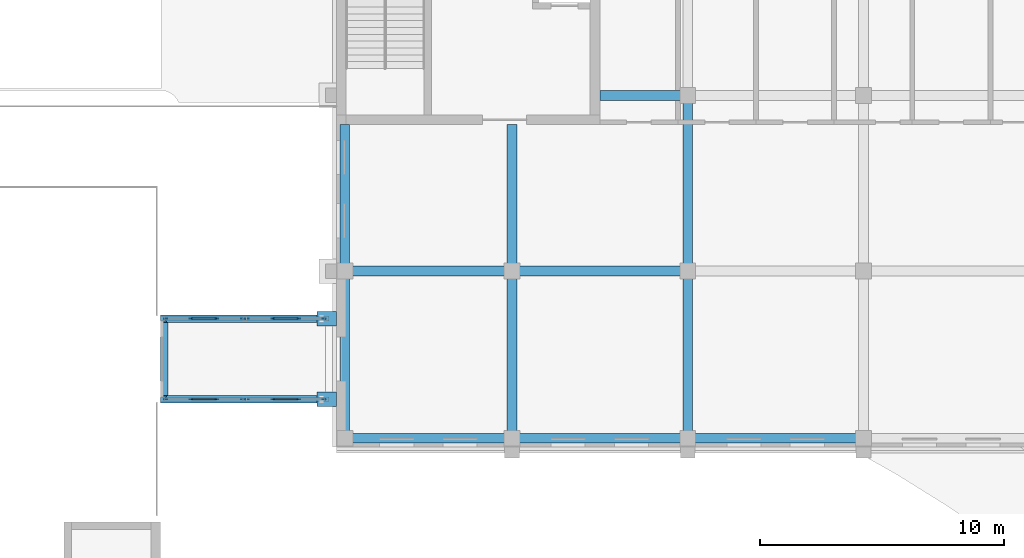
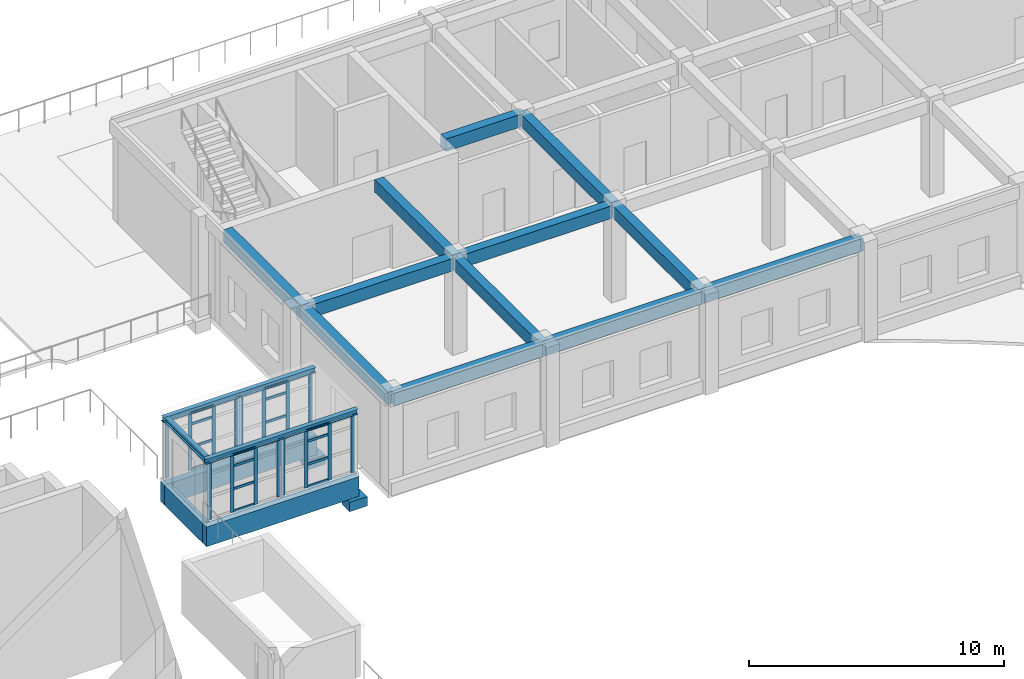
# One storey, part 56 of 131: 32 members, 20 beams, 4 elements without a shape of their own.
"""IFC4 building model written with IfcOpenShell, lengths in metres."""

import ifcopenshell
import ifcopenshell.guid

model = None  # the IFC model being written
_history = None  # IfcOwnerHistory: only IFC2X3 demands one
_inside = {}  # id of a spatial element -> (the spatial element, [elements in it])
_under = {}  # id of a project, library or spatial element -> (it, [spatial elements below it])
_declared = {}  # id of a project -> (the project, [libraries it declares])
_typed = {}  # id of a type object -> (the type object, [elements of that type])
_made_of = {}  # id of a material, layer set ... -> (it, [elements and type objects made of it])


def new_model(schema):
    """Start an empty IFC model of exactly this schema.

    Asked for "IFC4X3", IfcOpenShell would pick the latest addendum, in which some entities
    have other attributes; the version numbers below select the first issue.
    IFC2X3 requires an IfcOwnerHistory on every rooted entity: one is made here for all.
    """
    global model, _history
    if schema == "IFC4X3":
        model = ifcopenshell.file(schema_version=(4, 3, 0, 0))
    else:
        model = ifcopenshell.file(schema=schema)
    _inside.clear()
    _under.clear()
    _declared.clear()
    _typed.clear()
    _made_of.clear()
    _history = None
    if model.schema == "IFC2X3":
        org = make("IfcOrganization", Name="unknown")
        user = make(
            "IfcPersonAndOrganization",
            ThePerson=make("IfcPerson", FamilyName="unknown"),
            TheOrganization=org,
        )
        app = make(
            "IfcApplication",
            ApplicationDeveloper=org,
            Version="unknown",
            ApplicationFullName="unknown",
            ApplicationIdentifier="unknown",
        )
        _history = make(
            "IfcOwnerHistory",
            OwningUser=user,
            OwningApplication=app,
            ChangeAction="ADDED",
            CreationDate=0,
        )
    return model


def make(cls, **values):
    """One entity of the class cls with the attributes given. An attribute that is None is left unset."""
    return model.create_entity(
        cls, **{name: value for name, value in values.items() if value is not None}
    )


def rooted(cls, **values):
    """An entity with a GlobalId (a new one), such as an element, a storey or a relation."""
    return make(cls, GlobalId=ifcopenshell.guid.new(), OwnerHistory=_history, **values)


def si_unit(unit_type, name, prefix=None):
    """IfcSIUnit, for example si_unit("LENGTHUNIT", "METRE", prefix="MILLI")."""
    return make("IfcSIUnit", UnitType=unit_type, Prefix=prefix, Name=name)


def assignment(units):
    """IfcUnitAssignment: the units of a project."""
    return None if units is None else make("IfcUnitAssignment", Units=units)


def point(xyz):
    """IfcCartesianPoint."""
    return None if xyz is None else make("IfcCartesianPoint", Coordinates=xyz)


def direction(xyz):
    """IfcDirection."""
    return None if xyz is None else make("IfcDirection", DirectionRatios=xyz)


def frame(location, z_axis=None, x_axis=None):
    """IfcAxis2Placement3D, a coordinate frame: its origin and axes. An axis left out is left unset."""
    return make(
        "IfcAxis2Placement3D",
        Location=point(location),
        Axis=direction(z_axis),
        RefDirection=direction(x_axis),
    )


def frame_2d(location, x_axis=None):
    """IfcAxis2Placement2D, a coordinate frame in the plane: its origin and x axis."""
    return make(
        "IfcAxis2Placement2D", Location=point(location), RefDirection=direction(x_axis)
    )


def origin():
    """The frame at (0, 0, 0) with its axes left unset."""
    return frame((0.0, 0.0, 0.0))


def origin_2d():
    """The frame at (0, 0) in the plane with its x axis left unset."""
    return frame_2d((0.0, 0.0))


def place(relative_to, where):
    """IfcLocalPlacement: puts the frame where relative to a parent placement (None: the world)."""
    return make(
        "IfcLocalPlacement", PlacementRelTo=relative_to, RelativePlacement=where
    )


def context(
    kind, dimensions, precision=None, world=None, true_north=None, identifier=None
):
    """IfcGeometricRepresentationContext, for example the 3D "Model" context."""
    return make(
        "IfcGeometricRepresentationContext",
        ContextIdentifier=identifier,
        ContextType=kind,
        CoordinateSpaceDimension=dimensions,
        Precision=precision,
        WorldCoordinateSystem=world,
        TrueNorth=true_north,
    )


def subcontext(parent, identifier, kind, view, scale=None):
    """IfcGeometricRepresentationSubContext, for example "Body" below "Model"."""
    return make(
        "IfcGeometricRepresentationSubContext",
        ContextIdentifier=identifier,
        ContextType=kind,
        ParentContext=parent,
        TargetScale=scale,
        TargetView=view,
    )


def project(units=None, contexts=None):
    """IfcProject with its units and contexts."""
    return rooted(
        "IfcProject",
        Name="project",
        RepresentationContexts=contexts,
        UnitsInContext=assignment(units),
    )


def spatial(cls, under=None, at=None, **own):
    """A site, building, storey or space (cls), placed at a placement, below another one or the project."""
    s = rooted(cls, ObjectPlacement=at, **own)
    if under is not None:
        _under.setdefault(under.id(), (under, []))[1].append(s)
    return s


def profile(cls, at=None, kind="AREA", **sizes):
    """A parametric profile (cls). Its sizes go by their IFC names, for example OverallWidth=200.0."""
    return make(cls, ProfileType=kind, Position=at, **sizes)


def rectangle(**sizes):
    """IfcRectangleProfileDef."""
    return profile("IfcRectangleProfileDef", **sizes)


def i_section(**sizes):
    """IfcIShapeProfileDef."""
    return profile("IfcIShapeProfileDef", **sizes)


def extrude(swept, where, along, depth):
    """IfcExtrudedAreaSolid: the profile swept, set in the frame where, extruded along a direction by depth."""
    return make(
        "IfcExtrudedAreaSolid",
        SweptArea=swept,
        Position=where,
        ExtrudedDirection=direction(along),
        Depth=depth,
    )


def shape(context_of_items, identifier, shape_type, items):
    """IfcShapeRepresentation: the items that make up one representation, for example the "Body"."""
    return make(
        "IfcShapeRepresentation",
        ContextOfItems=context_of_items,
        RepresentationIdentifier=identifier,
        RepresentationType=shape_type,
        Items=items,
    )


def material(Name=None, Category=None):
    """IfcMaterial."""
    return make("IfcMaterial", Name=Name, Category=Category)


def layer(
    of_material, thickness, ventilated=None, Name=None, Category=None, Priority=None
):
    """IfcMaterialLayer: one layer of a wall or slab, of a material (None: an air gap)."""
    return make(
        "IfcMaterialLayer",
        Material=of_material,
        LayerThickness=thickness,
        IsVentilated=ventilated,
        Name=Name,
        Category=Category,
        Priority=Priority,
    )


def layer_set(layers, Name=None):
    """IfcMaterialLayerSet."""
    return make("IfcMaterialLayerSet", MaterialLayers=layers, LayerSetName=Name)


def material_profile(
    of_material, cross_section, Name=None, Category=None, Priority=None
):
    """IfcMaterialProfile: a cross section and its material."""
    return make(
        "IfcMaterialProfile",
        Name=Name,
        Material=of_material,
        Profile=cross_section,
        Priority=Priority,
        Category=Category,
    )


def profile_set(profiles, Name=None, composite=None):
    """IfcMaterialProfileSet."""
    return make(
        "IfcMaterialProfileSet",
        Name=Name,
        MaterialProfiles=profiles,
        CompositeProfile=composite,
    )


def made_of(thing, what):
    """Note that an element or type object is made of a material, layer set ...; save() writes the relation."""
    if what is not None:
        _made_of.setdefault(what.id(), (what, []))[1].append(thing)
    return thing


def type_object(cls, material=None, **own):
    """A type object (cls), such as IfcWallType, which elements share."""
    return made_of(rooted(cls, **own), material)


def element(
    cls,
    number,
    at=None,
    inside=None,
    cuts=None,
    type_object=None,
    material=None,
    context=None,
    identifier="Body",
    shape_type=None,
    held_by="IfcProductDefinitionShape",
    body=None,
    shapes=None,
    **own,
):
    """One element of the class cls, such as IfcWall. Its Tag is "e" and its number.

    at: its placement. inside: the storey or other place that contains it. cuts: it is an
    opening in that element (IfcRelVoidsElement). A single representation is given by context,
    identifier, shape_type and body (its items); several are given by shapes. held_by: the class
    of the entity that holds the representations. save() writes the other relations.
    """
    e = rooted(cls, Tag="e%d" % number, ObjectPlacement=at, **own)
    if body is not None:
        shapes = [shape(context, identifier, shape_type, body)]
    if shapes is not None:
        e.Representation = make(held_by, Representations=shapes)
    if inside is not None:
        _inside.setdefault(inside.id(), (inside, []))[1].append(e)
    if cuts is not None:
        rooted(
            "IfcRelVoidsElement", RelatingBuildingElement=cuts, RelatedOpeningElement=e
        )
    if type_object is not None:
        _typed.setdefault(type_object.id(), (type_object, []))[1].append(e)
    return made_of(e, material)


def aggregate(whole, parts):
    """IfcRelAggregates: a whole, such as a stair, and the parts it consists of."""
    return rooted("IfcRelAggregates", RelatingObject=whole, RelatedObjects=parts)


def save(model, path):
    """Write the relations noted so far, then the file.

    IfcRelAggregates (storeys below a building ...), IfcRelContainedInSpatialStructure (elements
    in a storey), IfcRelDefinesByType, IfcRelAssociatesMaterial and IfcRelDeclares: one each for
    every whole, place, type object, material and project.
    """
    for whole, parts in _under.values():
        aggregate(whole, parts)
    for where, things in _inside.values():
        rooted(
            "IfcRelContainedInSpatialStructure",
            RelatedElements=things,
            RelatingStructure=where,
        )
    for kind, things in _typed.values():
        rooted("IfcRelDefinesByType", RelatedObjects=things, RelatingType=kind)
    for what, things in _made_of.values():
        rooted("IfcRelAssociatesMaterial", RelatedObjects=things, RelatingMaterial=what)
    for by, libraries in _declared.values():
        rooted("IfcRelDeclares", RelatingContext=by, RelatedDefinitions=libraries)
    model.write(path)


model = new_model("IFC4")

# Units and contexts
model_context = context("Model", 3, precision=1e-05, world=origin(), true_north=direction((0.0, 1.0)))
body_context = subcontext(model_context, "Body", "Model", "MODEL_VIEW")
ifc_project = project(units=[si_unit("LENGTHUNIT", "METRE"), si_unit("AREAUNIT", "SQUARE_METRE"), si_unit("VOLUMEUNIT", "CUBIC_METRE"), si_unit("PLANEANGLEUNIT", "RADIAN"), si_unit("MASSUNIT", "GRAM", prefix="KILO")], contexts=[model_context])

# Site, building, storey
site_placement = place(None, origin())
site = spatial("IfcSite", under=ifc_project, at=site_placement, CompositionType="ELEMENT")
building_placement = place(site_placement, origin())
building = spatial("IfcBuilding", under=site, at=building_placement, Name="Alderwick Market Hall", CompositionType="ELEMENT")
storey_placement = place(building_placement, frame((0.0, 0.0, 4.800048828125)))
storey = spatial("IfcBuildingStorey", under=building, at=storey_placement, Name="L00", CompositionType="ELEMENT", Elevation=4.800048828125)

# Beams
ifc_material_1 = material(Name="Concrete 5000 psi (f'c 35 MPa)", Category="concrete")
ifc_material_profile_1 = material_profile(ifc_material_1, rectangle(XDim=0.39990234375, YDim=0.60009765625, at=origin_2d()), Name="RC 400x600")
ifc_profile_set_1 = profile_set([ifc_material_profile_1], Name="Concrete 5000 psi (f'c 35 MPa)")
beam_type_1 = type_object("IfcBeamType", Name="F Floor Beam RC 400x600", PredefinedType="BEAM", material=ifc_profile_set_1)
beam_1_placement = place(storey_placement, frame((158.75, 129.949951171875, 4.25), z_axis=(1.0, 0.0, 0.0), x_axis=(0.0, 1.0, 0.0)))
element("IfcBeam", 1, at=beam_1_placement, inside=storey, type_object=beam_type_1, Name="F.beam.L00.001", PredefinedType="BEAM", context=body_context, shape_type="SweptSolid", body=[
    extrude(rectangle(XDim=0.39990234375, YDim=0.60009765625, at=origin_2d()), origin(), (0.0, 0.0, 1.0), 6.85009765625),
])
for number, where, z_axis, x_axis, name in (
    (2, (165.60009765625, 129.949951171875, 4.25), (1.0, 0.0, 0.0), (0.0, 1.0, 0.0), "F.beam.L00.002"),
    (3, (172.800048828125, 129.949951171875, 4.25), (1.0, 0.0, 0.0), (0.0, 1.0, 0.0), "F.beam.L00.003"),
):
    element("IfcBeam", number, at=place(storey_placement, frame(where, z_axis=z_axis, x_axis=x_axis)), inside=storey, type_object=beam_type_1, Name=name, PredefinedType="BEAM", context=body_context, shape_type="SweptSolid", body=[
        extrude(rectangle(XDim=0.39990234375, YDim=0.60009765625, at=origin_2d()), origin(), (0.0, 0.0, 1.0), 7.199951171875),
    ])
beam_2_placement = place(storey_placement, frame((158.75, 136.800048828125, 4.25), z_axis=(1.0, 0.0, 0.0), x_axis=(0.0, 1.0, 0.0)))
element("IfcBeam", 4, at=beam_2_placement, inside=storey, type_object=beam_type_1, Name="F.beam.L00.011", PredefinedType="BEAM", context=body_context, shape_type="SweptSolid", body=[
    extrude(rectangle(XDim=0.39990234375, YDim=0.60009765625, at=origin_2d()), origin(), (0.0, 0.0, 1.0), 6.85009765625),
])
beam_3_placement = place(storey_placement, frame((165.60009765625, 136.800048828125, 4.25), z_axis=(1.0, 0.0, 0.0), x_axis=(0.0, 1.0, 0.0)))
element("IfcBeam", 5, at=beam_3_placement, inside=storey, type_object=beam_type_1, Name="F.beam.L00.012", PredefinedType="BEAM", context=body_context, shape_type="SweptSolid", body=[
    extrude(rectangle(XDim=0.39990234375, YDim=0.60009765625, at=origin_2d()), origin(), (0.0, 0.0, 1.0), 7.199951171875),
])
beam_4_placement = place(storey_placement, frame((169.198974609375, 144.0, 4.25), z_axis=(1.0, 0.0, 0.0), x_axis=(0.0, 1.0, 0.0)))
element("IfcBeam", 6, at=beam_4_placement, inside=storey, type_object=beam_type_1, Name="F.beam.L00.021", PredefinedType="BEAM", context=body_context, shape_type="SweptSolid", body=[
    extrude(rectangle(XDim=0.39990234375, YDim=0.60009765625, at=origin_2d()), origin(), (0.0, 0.0, 1.0), 3.60107421875),
])
beam_5_placement = place(storey_placement, frame((158.75, 129.949951171875, 4.25), z_axis=(0.0, 1.0, 0.0), x_axis=(-1.0, 0.0, 0.0)))
element("IfcBeam", 7, at=beam_5_placement, inside=storey, type_object=beam_type_1, Name="F.beam.L00.037", PredefinedType="BEAM", context=body_context, shape_type="SweptSolid", body=[
    extrude(rectangle(XDim=0.39990234375, YDim=0.60009765625, at=origin_2d()), origin(), (0.0, 0.0, 1.0), 6.85009765625),
])
beam_6_placement = place(storey_placement, frame((158.75, 136.800048828125, 4.25), z_axis=(0.0, 1.0, 0.0), x_axis=(-1.0, 0.0, 0.0)))
element("IfcBeam", 8, at=beam_6_placement, inside=storey, type_object=beam_type_1, Name="F.beam.L00.038", PredefinedType="BEAM", context=body_context, shape_type="SweptSolid", body=[
    extrude(rectangle(XDim=0.39990234375, YDim=0.60009765625, at=origin_2d()), origin(), (0.0, 0.0, 1.0), 6.0009765625),
])
beam_7_placement = place(storey_placement, frame((165.60009765625, 129.949951171875, 4.25), z_axis=(0.0, 1.0, 0.0), x_axis=(-1.0, 0.0, 0.0)))
element("IfcBeam", 9, at=beam_7_placement, inside=storey, type_object=beam_type_1, Name="F.beam.L00.039", PredefinedType="BEAM", context=body_context, shape_type="SweptSolid", body=[
    extrude(rectangle(XDim=0.39990234375, YDim=0.60009765625, at=origin_2d()), origin(), (0.0, 0.0, 1.0), 6.85009765625),
])
beam_8_placement = place(storey_placement, frame((165.60009765625, 136.800048828125, 4.25), z_axis=(0.0, 1.0, 0.0), x_axis=(-1.0, 0.0, 0.0)))
element("IfcBeam", 10, at=beam_8_placement, inside=storey, type_object=beam_type_1, Name="F.beam.L00.040", PredefinedType="BEAM", context=body_context, shape_type="SweptSolid", body=[
    extrude(rectangle(XDim=0.39990234375, YDim=0.60009765625, at=origin_2d()), origin(), (0.0, 0.0, 1.0), 6.0009765625),
])
beam_9_placement = place(storey_placement, frame((172.800048828125, 129.949951171875, 4.25), z_axis=(0.0, 1.0, 0.0), x_axis=(-1.0, 0.0, 0.0)))
element("IfcBeam", 11, at=beam_9_placement, inside=storey, type_object=beam_type_1, Name="F.beam.L00.041", PredefinedType="BEAM", context=body_context, shape_type="SweptSolid", body=[
    extrude(rectangle(XDim=0.39990234375, YDim=0.60009765625, at=origin_2d()), origin(), (0.0, 0.0, 1.0), 6.85009765625),
])
beam_10_placement = place(storey_placement, frame((172.800048828125, 136.800048828125, 4.25), z_axis=(0.0, 1.0, 0.0), x_axis=(-1.0, 0.0, 0.0)))
element("IfcBeam", 12, at=beam_10_placement, inside=storey, type_object=beam_type_1, Name="F.beam.L00.042", PredefinedType="BEAM", context=body_context, shape_type="SweptSolid", body=[
    extrude(rectangle(XDim=0.39990234375, YDim=0.60009765625, at=origin_2d()), origin(), (0.0, 0.0, 1.0), 7.199951171875),
])

# Curtain wall, members
ifc_material_2 = material(Name="Aluminium frame", Category="aluminium")
ifc_layer = layer(ifc_material_2, 0.10009765625)
ifc_layer_set = layer_set([ifc_layer], Name="Aluminium frame")
curtain_wall_type = type_object("IfcCurtainWallType", Name="P Curtain Wall 100", PredefinedType="NOTDEFINED", material=ifc_layer_set)
curtain_wall_1_placement = place(storey_placement, origin())
curtain_wall_1 = element("IfcCurtainWall", 13, at=curtain_wall_1_placement, inside=storey, type_object=curtain_wall_type, Name="P.P9.cw.a0", PredefinedType="NOTDEFINED")
ifc_material_profile_2 = material_profile(ifc_material_2, rectangle(XDim=0.06005859375, YDim=0.159912109375, at=origin_2d()), Name="P Mullion 60x160")
ifc_profile_set_2 = profile_set([ifc_material_profile_2], Name="Aluminium frame")
member_type_1 = type_object("IfcMemberType", Name="P Mullion 60x160", PredefinedType="MULLION", material=ifc_profile_set_2)
member_1_placement = place(storey_placement, frame((151.406005859375, 131.550048828125, 0.0), z_axis=(0.0, 0.0, 1.0), x_axis=(0.0, 1.0, 0.0)))
member_1 = element("IfcMember", 14, at=member_1_placement, type_object=member_type_1, Name="P-CW9a0 mullion 1", PredefinedType="MULLION", context=body_context, shape_type="SweptSolid", body=[
    extrude(rectangle(XDim=0.06005859375, YDim=0.159912109375, at=origin_2d()), origin(), (0.0, 0.0, 1.0), 2.7529296875),
])
member_2_placement = place(storey_placement, frame((152.44189453125, 131.550048828125, 0.0), z_axis=(0.0, 0.0, 1.0), x_axis=(0.0, 1.0, 0.0)))
member_2 = element("IfcMember", 15, at=member_2_placement, type_object=member_type_1, Name="P-CW9a0 mullion 2", PredefinedType="MULLION", context=body_context, shape_type="SweptSolid", body=[
    extrude(rectangle(XDim=0.06005859375, YDim=0.159912109375, at=origin_2d()), origin(), (0.0, 0.0, 1.0), 2.7529296875),
])
member_3_placement = place(storey_placement, frame((153.508056640625, 131.550048828125, 0.0), z_axis=(0.0, 0.0, 1.0), x_axis=(0.0, 1.0, 0.0)))
member_3 = element("IfcMember", 16, at=member_3_placement, type_object=member_type_1, Name="P-CW9a0 mullion 3", PredefinedType="MULLION", context=body_context, shape_type="SweptSolid", body=[
    extrude(rectangle(XDim=0.06005859375, YDim=0.159912109375, at=origin_2d()), origin(), (0.0, 0.0, 1.0), 2.7529296875),
])
member_4_placement = place(storey_placement, frame((154.5439453125, 131.550048828125, 0.0), z_axis=(0.0, 0.0, 1.0), x_axis=(0.0, 1.0, 0.0)))
member_4 = element("IfcMember", 17, at=member_4_placement, type_object=member_type_1, Name="P-CW9a0 mullion 4", PredefinedType="MULLION", context=body_context, shape_type="SweptSolid", body=[
    extrude(rectangle(XDim=0.06005859375, YDim=0.159912109375, at=origin_2d()), origin(), (0.0, 0.0, 1.0), 2.7529296875),
])

curtain_wall_2_placement = place(storey_placement, origin())
curtain_wall_2 = element("IfcCurtainWall", 18, at=curtain_wall_2_placement, inside=storey, type_object=curtain_wall_type, Name="P.P9.cw.a1", PredefinedType="NOTDEFINED")
member_5_placement = place(storey_placement, frame((154.756103515625, 131.550048828125, 0.0), z_axis=(0.0, 0.0, 1.0), x_axis=(0.0, 1.0, 0.0)))
member_5 = element("IfcMember", 19, at=member_5_placement, type_object=member_type_1, Name="P-CW9a1 mullion 1", PredefinedType="MULLION", context=body_context, shape_type="SweptSolid", body=[
    extrude(rectangle(XDim=0.06005859375, YDim=0.159912109375, at=origin_2d()), origin(), (0.0, 0.0, 1.0), 2.7529296875),
])
member_6_placement = place(storey_placement, frame((155.7919921875, 131.550048828125, 0.0), z_axis=(0.0, 0.0, 1.0), x_axis=(0.0, 1.0, 0.0)))
member_6 = element("IfcMember", 20, at=member_6_placement, type_object=member_type_1, Name="P-CW9a1 mullion 2", PredefinedType="MULLION", context=body_context, shape_type="SweptSolid", body=[
    extrude(rectangle(XDim=0.06005859375, YDim=0.159912109375, at=origin_2d()), origin(), (0.0, 0.0, 1.0), 2.7529296875),
])
member_7_placement = place(storey_placement, frame((156.85791015625, 131.550048828125, 0.0), z_axis=(0.0, 0.0, 1.0), x_axis=(0.0, 1.0, 0.0)))
member_7 = element("IfcMember", 21, at=member_7_placement, type_object=member_type_1, Name="P-CW9a1 mullion 3", PredefinedType="MULLION", context=body_context, shape_type="SweptSolid", body=[
    extrude(rectangle(XDim=0.06005859375, YDim=0.159912109375, at=origin_2d()), origin(), (0.0, 0.0, 1.0), 2.7529296875),
])
member_8_placement = place(storey_placement, frame((157.89404296875, 131.550048828125, 0.0), z_axis=(0.0, 0.0, 1.0), x_axis=(0.0, 1.0, 0.0)))
member_8 = element("IfcMember", 22, at=member_8_placement, type_object=member_type_1, Name="P-CW9a1 mullion 4", PredefinedType="MULLION", context=body_context, shape_type="SweptSolid", body=[
    extrude(rectangle(XDim=0.06005859375, YDim=0.159912109375, at=origin_2d()), origin(), (0.0, 0.0, 1.0), 2.7529296875),
])

curtain_wall_3_placement = place(storey_placement, origin())
curtain_wall_3 = element("IfcCurtainWall", 23, at=curtain_wall_3_placement, inside=storey, type_object=curtain_wall_type, Name="P.P9.cw.b0", PredefinedType="NOTDEFINED")
member_9_placement = place(storey_placement, frame((151.406005859375, 134.85009765625, 0.0), z_axis=(0.0, 0.0, 1.0), x_axis=(0.0, 1.0, 0.0)))
member_9 = element("IfcMember", 24, at=member_9_placement, type_object=member_type_1, Name="P-CW9b0 mullion 1", PredefinedType="MULLION", context=body_context, shape_type="SweptSolid", body=[
    extrude(rectangle(XDim=0.06005859375, YDim=0.159912109375, at=origin_2d()), origin(), (0.0, 0.0, 1.0), 2.7529296875),
])
member_10_placement = place(storey_placement, frame((152.44189453125, 134.85009765625, 0.0), z_axis=(0.0, 0.0, 1.0), x_axis=(0.0, 1.0, 0.0)))
member_10 = element("IfcMember", 25, at=member_10_placement, type_object=member_type_1, Name="P-CW9b0 mullion 2", PredefinedType="MULLION", context=body_context, shape_type="SweptSolid", body=[
    extrude(rectangle(XDim=0.06005859375, YDim=0.159912109375, at=origin_2d()), origin(), (0.0, 0.0, 1.0), 2.7529296875),
])
member_11_placement = place(storey_placement, frame((153.508056640625, 134.85009765625, 0.0), z_axis=(0.0, 0.0, 1.0), x_axis=(0.0, 1.0, 0.0)))
member_11 = element("IfcMember", 26, at=member_11_placement, type_object=member_type_1, Name="P-CW9b0 mullion 3", PredefinedType="MULLION", context=body_context, shape_type="SweptSolid", body=[
    extrude(rectangle(XDim=0.06005859375, YDim=0.159912109375, at=origin_2d()), origin(), (0.0, 0.0, 1.0), 2.7529296875),
])
member_12_placement = place(storey_placement, frame((154.5439453125, 134.85009765625, 0.0), z_axis=(0.0, 0.0, 1.0), x_axis=(0.0, 1.0, 0.0)))
member_12 = element("IfcMember", 27, at=member_12_placement, type_object=member_type_1, Name="P-CW9b0 mullion 4", PredefinedType="MULLION", context=body_context, shape_type="SweptSolid", body=[
    extrude(rectangle(XDim=0.06005859375, YDim=0.159912109375, at=origin_2d()), origin(), (0.0, 0.0, 1.0), 2.7529296875),
])

curtain_wall_4_placement = place(storey_placement, origin())
curtain_wall_4 = element("IfcCurtainWall", 28, at=curtain_wall_4_placement, inside=storey, type_object=curtain_wall_type, Name="P.P9.cw.b1", PredefinedType="NOTDEFINED")
member_13_placement = place(storey_placement, frame((154.756103515625, 134.85009765625, 0.0), z_axis=(0.0, 0.0, 1.0), x_axis=(0.0, 1.0, 0.0)))
member_13 = element("IfcMember", 29, at=member_13_placement, type_object=member_type_1, Name="P-CW9b1 mullion 1", PredefinedType="MULLION", context=body_context, shape_type="SweptSolid", body=[
    extrude(rectangle(XDim=0.06005859375, YDim=0.159912109375, at=origin_2d()), origin(), (0.0, 0.0, 1.0), 2.7529296875),
])
member_14_placement = place(storey_placement, frame((155.7919921875, 134.85009765625, 0.0), z_axis=(0.0, 0.0, 1.0), x_axis=(0.0, 1.0, 0.0)))
member_14 = element("IfcMember", 30, at=member_14_placement, type_object=member_type_1, Name="P-CW9b1 mullion 2", PredefinedType="MULLION", context=body_context, shape_type="SweptSolid", body=[
    extrude(rectangle(XDim=0.06005859375, YDim=0.159912109375, at=origin_2d()), origin(), (0.0, 0.0, 1.0), 2.7529296875),
])
member_15_placement = place(storey_placement, frame((156.85791015625, 134.85009765625, 0.0), z_axis=(0.0, 0.0, 1.0), x_axis=(0.0, 1.0, 0.0)))
member_15 = element("IfcMember", 31, at=member_15_placement, type_object=member_type_1, Name="P-CW9b1 mullion 3", PredefinedType="MULLION", context=body_context, shape_type="SweptSolid", body=[
    extrude(rectangle(XDim=0.06005859375, YDim=0.159912109375, at=origin_2d()), origin(), (0.0, 0.0, 1.0), 2.7529296875),
])
member_16_placement = place(storey_placement, frame((157.89404296875, 134.85009765625, 0.0), z_axis=(0.0, 0.0, 1.0), x_axis=(0.0, 1.0, 0.0)))
member_16 = element("IfcMember", 32, at=member_16_placement, type_object=member_type_1, Name="P-CW9b1 mullion 4", PredefinedType="MULLION", context=body_context, shape_type="SweptSolid", body=[
    extrude(rectangle(XDim=0.06005859375, YDim=0.159912109375, at=origin_2d()), origin(), (0.0, 0.0, 1.0), 2.7529296875),
])

# Beams
ifc_material_profile_3 = material_profile(ifc_material_1, rectangle(XDim=0.60009765625, YDim=0.449951171875, at=origin_2d()), Name="P RC Bearing Corbel 600x450")
ifc_profile_set_3 = profile_set([ifc_material_profile_3], Name="Concrete 5000 psi (f'c 35 MPa)")
beam_type_2 = type_object("IfcBeamType", Name="P RC Bearing Corbel 600x450", PredefinedType="USERDEFINED", material=ifc_profile_set_3)
for number, where, z_axis, x_axis, name in (
    (33, (157.60009765625, 131.550048828125, -1.39306640625), (1.0, 0.0, 0.0), (0.0, 1.0, 0.0), "Bearing corbel"),
    (34, (157.60009765625, 134.85009765625, -1.39306640625), (1.0, 0.0, 0.0), (0.0, 1.0, 0.0), "Bearing corbel"),
):
    element("IfcBeam", number, at=place(storey_placement, frame(where, z_axis=z_axis, x_axis=x_axis)), inside=storey, type_object=beam_type_2, Name=name, ObjectType="CORBEL", PredefinedType="USERDEFINED", context=body_context, shape_type="SweptSolid", body=[
        extrude(rectangle(XDim=0.60009765625, YDim=0.449951171875, at=origin_2d()), origin(), (0.0, 0.0, 1.0), 0.7998046875),
    ])
ifc_material_profile_4 = material_profile(ifc_material_1, rectangle(XDim=0.300048828125, YDim=0.949951171875, at=origin_2d()), Name="P RC Edge Girder 300x950")
ifc_profile_set_4 = profile_set([ifc_material_profile_4], Name="Concrete 5000 psi (f'c 35 MPa)")
beam_type_3 = type_object("IfcBeamType", Name="P RC Edge Girder 300x950", PredefinedType="BEAM", material=ifc_profile_set_4)
for number, where, z_axis, x_axis, name in (
    (35, (151.199951171875, 131.550048828125, -0.675048828125), (1.0, 0.0, 0.0), (0.0, 1.0, 0.0), "P.P9.girder.a"),
    (36, (151.199951171875, 134.85009765625, -0.675048828125), (1.0, 0.0, 0.0), (0.0, 1.0, 0.0), "P.P9.girder.b"),
):
    element("IfcBeam", number, at=place(storey_placement, frame(where, z_axis=z_axis, x_axis=x_axis)), inside=storey, type_object=beam_type_3, Name=name, PredefinedType="BEAM", context=body_context, shape_type="SweptSolid", body=[
        extrude(rectangle(XDim=0.300048828125, YDim=0.949951171875, at=origin_2d()), origin(), (0.0, 0.0, 1.0), 6.900146484375),
    ])
beam_11_placement = place(storey_placement, frame((151.35009765625, 131.699951171875, -0.675048828125), z_axis=(0.0, 1.0, 0.0), x_axis=(-1.0, 0.0, 0.0)))
element("IfcBeam", 37, at=beam_11_placement, inside=storey, type_object=beam_type_3, Name="Passage tie girder", PredefinedType="BEAM", context=body_context, shape_type="SweptSolid", body=[
    extrude(rectangle(XDim=0.300048828125, YDim=0.949951171875, at=origin_2d()), origin(), (0.0, 0.0, 1.0), 3.0),
])
ifc_material_3 = material(Name="Steel ASTM A992 Grade 50", Category="steel")
ifc_material_profile_5 = material_profile(ifc_material_3, i_section(OverallWidth=0.201904296875, OverallDepth=0.2470703125, WebThickness=0.00732421875, FlangeThickness=0.010986328125, at=origin_2d()), Name="W250x49")
ifc_profile_set_5 = profile_set([ifc_material_profile_5], Name="Steel ASTM A992 Grade 50")
beam_type_4 = type_object("IfcBeamType", Name="P Roof Beam W250x49", PredefinedType="BEAM", material=ifc_profile_set_5)
for number, where, z_axis, x_axis, name in (
    (38, (151.199951171875, 131.550048828125, 2.87646484375), (1.0, 0.0, 0.0), (0.0, 1.0, 0.0), "P.P9.rbeam.a"),
    (39, (151.199951171875, 134.85009765625, 2.87646484375), (1.0, 0.0, 0.0), (0.0, 1.0, 0.0), "P.P9.rbeam.b"),
):
    element("IfcBeam", number, at=place(storey_placement, frame(where, z_axis=z_axis, x_axis=x_axis)), inside=storey, type_object=beam_type_4, Name=name, PredefinedType="BEAM", context=body_context, shape_type="SweptSolid", body=[
        extrude(i_section(OverallWidth=0.201904296875, OverallDepth=0.2470703125, WebThickness=0.00732421875, FlangeThickness=0.010986328125, at=origin_2d()), origin(), (0.0, 0.0, 1.0), 6.900146484375),
    ])
beam_12_placement = place(storey_placement, frame((151.35009765625, 131.65087890625, 2.87646484375), z_axis=(0.0, 1.0, 0.0), x_axis=(-1.0, 0.0, 0.0)))
element("IfcBeam", 40, at=beam_12_placement, inside=storey, type_object=beam_type_4, Name="Passage tie beam", PredefinedType="BEAM", context=body_context, shape_type="SweptSolid", body=[
    extrude(i_section(OverallWidth=0.201904296875, OverallDepth=0.2470703125, WebThickness=0.00732421875, FlangeThickness=0.010986328125, at=origin_2d()), origin(), (0.0, 0.0, 1.0), 3.09814453125),
])

# Member
ifc_material_profile_6 = material_profile(ifc_material_2, rectangle(XDim=0.06005859375, YDim=0.1201171875, at=origin_2d()), Name="P Transom 60x120")
ifc_profile_set_6 = profile_set([ifc_material_profile_6], Name="Aluminium frame")
member_type_2 = type_object("IfcMemberType", Name="P Transom 60x120", PredefinedType="USERDEFINED", material=ifc_profile_set_6)
member_17_placement = place(storey_placement, frame((152.471923828125, 131.550048828125, 0.030029296875), z_axis=(1.0, 0.0, 0.0), x_axis=(0.0, 1.0, 0.0)))
member_17 = element("IfcMember", 41, at=member_17_placement, type_object=member_type_2, Name="P-CW9a0 transom 2.1", ObjectType="TRANSOM", PredefinedType="USERDEFINED", context=body_context, shape_type="SweptSolid", body=[
    extrude(rectangle(XDim=0.06005859375, YDim=0.1201171875, at=origin_2d()), origin(), (0.0, 0.0, 1.0), 1.006103515625),
])

member_18_placement = place(storey_placement, frame((152.471923828125, 131.550048828125, 1.099853515625), z_axis=(1.0, 0.0, 0.0), x_axis=(0.0, 1.0, 0.0)))
member_18 = element("IfcMember", 42, at=member_18_placement, type_object=member_type_2, Name="P-CW9a0 transom 2.2", ObjectType="TRANSOM", PredefinedType="USERDEFINED", context=body_context, shape_type="SweptSolid", body=[
    extrude(rectangle(XDim=0.06005859375, YDim=0.1201171875, at=origin_2d()), origin(), (0.0, 0.0, 1.0), 1.006103515625),
])

member_19_placement = place(storey_placement, frame((152.471923828125, 131.550048828125, 2.199951171875), z_axis=(1.0, 0.0, 0.0), x_axis=(0.0, 1.0, 0.0)))
member_19 = element("IfcMember", 43, at=member_19_placement, type_object=member_type_2, Name="P-CW9a0 transom 2.3", ObjectType="TRANSOM", PredefinedType="USERDEFINED", context=body_context, shape_type="SweptSolid", body=[
    extrude(rectangle(XDim=0.06005859375, YDim=0.1201171875, at=origin_2d()), origin(), (0.0, 0.0, 1.0), 1.006103515625),
])

member_20_placement = place(storey_placement, frame((152.471923828125, 131.550048828125, 2.722900390625), z_axis=(1.0, 0.0, 0.0), x_axis=(0.0, 1.0, 0.0)))
member_20 = element("IfcMember", 44, at=member_20_placement, type_object=member_type_2, Name="P-CW9a0 transom 2.4", ObjectType="TRANSOM", PredefinedType="USERDEFINED", context=body_context, shape_type="SweptSolid", body=[
    extrude(rectangle(XDim=0.06005859375, YDim=0.1201171875, at=origin_2d()), origin(), (0.0, 0.0, 1.0), 1.006103515625),
])

aggregate(curtain_wall_1, [member_1, member_2, member_3, member_4, member_17, member_18, member_19, member_20])

member_21_placement = place(storey_placement, frame((155.822021484375, 131.550048828125, 0.030029296875), z_axis=(1.0, 0.0, 0.0), x_axis=(0.0, 1.0, 0.0)))
member_21 = element("IfcMember", 45, at=member_21_placement, type_object=member_type_2, Name="P-CW9a1 transom 2.1", ObjectType="TRANSOM", PredefinedType="USERDEFINED", context=body_context, shape_type="SweptSolid", body=[
    extrude(rectangle(XDim=0.06005859375, YDim=0.1201171875, at=origin_2d()), origin(), (0.0, 0.0, 1.0), 1.005859375),
])

member_22_placement = place(storey_placement, frame((155.822021484375, 131.550048828125, 1.099853515625), z_axis=(1.0, 0.0, 0.0), x_axis=(0.0, 1.0, 0.0)))
member_22 = element("IfcMember", 46, at=member_22_placement, type_object=member_type_2, Name="P-CW9a1 transom 2.2", ObjectType="TRANSOM", PredefinedType="USERDEFINED", context=body_context, shape_type="SweptSolid", body=[
    extrude(rectangle(XDim=0.06005859375, YDim=0.1201171875, at=origin_2d()), origin(), (0.0, 0.0, 1.0), 1.005859375),
])

member_23_placement = place(storey_placement, frame((155.822021484375, 131.550048828125, 2.199951171875), z_axis=(1.0, 0.0, 0.0), x_axis=(0.0, 1.0, 0.0)))
member_23 = element("IfcMember", 47, at=member_23_placement, type_object=member_type_2, Name="P-CW9a1 transom 2.3", ObjectType="TRANSOM", PredefinedType="USERDEFINED", context=body_context, shape_type="SweptSolid", body=[
    extrude(rectangle(XDim=0.06005859375, YDim=0.1201171875, at=origin_2d()), origin(), (0.0, 0.0, 1.0), 1.005859375),
])

member_24_placement = place(storey_placement, frame((155.822021484375, 131.550048828125, 2.722900390625), z_axis=(1.0, 0.0, 0.0), x_axis=(0.0, 1.0, 0.0)))
member_24 = element("IfcMember", 48, at=member_24_placement, type_object=member_type_2, Name="P-CW9a1 transom 2.4", ObjectType="TRANSOM", PredefinedType="USERDEFINED", context=body_context, shape_type="SweptSolid", body=[
    extrude(rectangle(XDim=0.06005859375, YDim=0.1201171875, at=origin_2d()), origin(), (0.0, 0.0, 1.0), 1.005859375),
])

aggregate(curtain_wall_2, [member_5, member_6, member_7, member_8, member_21, member_22, member_23, member_24])

member_25_placement = place(storey_placement, frame((152.471923828125, 134.85009765625, 0.030029296875), z_axis=(1.0, 0.0, 0.0), x_axis=(0.0, 1.0, 0.0)))
member_25 = element("IfcMember", 49, at=member_25_placement, type_object=member_type_2, Name="P-CW9b0 transom 2.1", ObjectType="TRANSOM", PredefinedType="USERDEFINED", context=body_context, shape_type="SweptSolid", body=[
    extrude(rectangle(XDim=0.06005859375, YDim=0.1201171875, at=origin_2d()), origin(), (0.0, 0.0, 1.0), 1.006103515625),
])

member_26_placement = place(storey_placement, frame((152.471923828125, 134.85009765625, 1.099853515625), z_axis=(1.0, 0.0, 0.0), x_axis=(0.0, 1.0, 0.0)))
member_26 = element("IfcMember", 50, at=member_26_placement, type_object=member_type_2, Name="P-CW9b0 transom 2.2", ObjectType="TRANSOM", PredefinedType="USERDEFINED", context=body_context, shape_type="SweptSolid", body=[
    extrude(rectangle(XDim=0.06005859375, YDim=0.1201171875, at=origin_2d()), origin(), (0.0, 0.0, 1.0), 1.006103515625),
])

member_27_placement = place(storey_placement, frame((152.471923828125, 134.85009765625, 2.199951171875), z_axis=(1.0, 0.0, 0.0), x_axis=(0.0, 1.0, 0.0)))
member_27 = element("IfcMember", 51, at=member_27_placement, type_object=member_type_2, Name="P-CW9b0 transom 2.3", ObjectType="TRANSOM", PredefinedType="USERDEFINED", context=body_context, shape_type="SweptSolid", body=[
    extrude(rectangle(XDim=0.06005859375, YDim=0.1201171875, at=origin_2d()), origin(), (0.0, 0.0, 1.0), 1.006103515625),
])

member_28_placement = place(storey_placement, frame((152.471923828125, 134.85009765625, 2.722900390625), z_axis=(1.0, 0.0, 0.0), x_axis=(0.0, 1.0, 0.0)))
member_28 = element("IfcMember", 52, at=member_28_placement, type_object=member_type_2, Name="P-CW9b0 transom 2.4", ObjectType="TRANSOM", PredefinedType="USERDEFINED", context=body_context, shape_type="SweptSolid", body=[
    extrude(rectangle(XDim=0.06005859375, YDim=0.1201171875, at=origin_2d()), origin(), (0.0, 0.0, 1.0), 1.006103515625),
])

aggregate(curtain_wall_3, [member_9, member_10, member_11, member_12, member_25, member_26, member_27, member_28])

member_29_placement = place(storey_placement, frame((155.822021484375, 134.85009765625, 0.030029296875), z_axis=(1.0, 0.0, 0.0), x_axis=(0.0, 1.0, 0.0)))
member_29 = element("IfcMember", 53, at=member_29_placement, type_object=member_type_2, Name="P-CW9b1 transom 2.1", ObjectType="TRANSOM", PredefinedType="USERDEFINED", context=body_context, shape_type="SweptSolid", body=[
    extrude(rectangle(XDim=0.06005859375, YDim=0.1201171875, at=origin_2d()), origin(), (0.0, 0.0, 1.0), 1.005859375),
])

member_30_placement = place(storey_placement, frame((155.822021484375, 134.85009765625, 1.099853515625), z_axis=(1.0, 0.0, 0.0), x_axis=(0.0, 1.0, 0.0)))
member_30 = element("IfcMember", 54, at=member_30_placement, type_object=member_type_2, Name="P-CW9b1 transom 2.2", ObjectType="TRANSOM", PredefinedType="USERDEFINED", context=body_context, shape_type="SweptSolid", body=[
    extrude(rectangle(XDim=0.06005859375, YDim=0.1201171875, at=origin_2d()), origin(), (0.0, 0.0, 1.0), 1.005859375),
])

member_31_placement = place(storey_placement, frame((155.822021484375, 134.85009765625, 2.199951171875), z_axis=(1.0, 0.0, 0.0), x_axis=(0.0, 1.0, 0.0)))
member_31 = element("IfcMember", 55, at=member_31_placement, type_object=member_type_2, Name="P-CW9b1 transom 2.3", ObjectType="TRANSOM", PredefinedType="USERDEFINED", context=body_context, shape_type="SweptSolid", body=[
    extrude(rectangle(XDim=0.06005859375, YDim=0.1201171875, at=origin_2d()), origin(), (0.0, 0.0, 1.0), 1.005859375),
])

member_32_placement = place(storey_placement, frame((155.822021484375, 134.85009765625, 2.722900390625), z_axis=(1.0, 0.0, 0.0), x_axis=(0.0, 1.0, 0.0)))
member_32 = element("IfcMember", 56, at=member_32_placement, type_object=member_type_2, Name="P-CW9b1 transom 2.4", ObjectType="TRANSOM", PredefinedType="USERDEFINED", context=body_context, shape_type="SweptSolid", body=[
    extrude(rectangle(XDim=0.06005859375, YDim=0.1201171875, at=origin_2d()), origin(), (0.0, 0.0, 1.0), 1.005859375),
])

aggregate(curtain_wall_4, [member_13, member_14, member_15, member_16, member_29, member_30, member_31, member_32])

save(model, "model.ifc")
